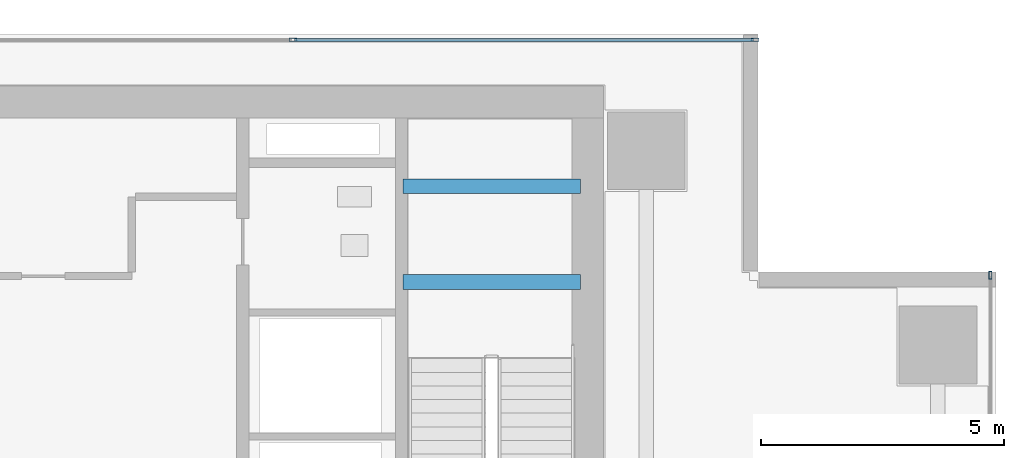
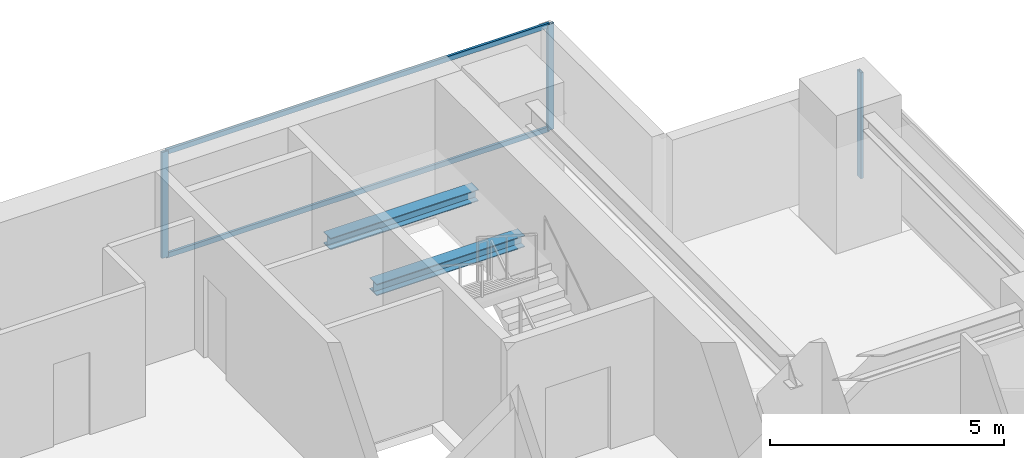
# One storey, part 19 of 27: 5 members, 2 beams, 2 elements without a shape of their own.
"""IFC4 building model written with IfcOpenShell, lengths in metres."""

import ifcopenshell
import ifcopenshell.guid

model = None  # the IFC model being written
_history = None  # IfcOwnerHistory: only IFC2X3 demands one
_inside = {}  # id of a spatial element -> (the spatial element, [elements in it])
_under = {}  # id of a project, library or spatial element -> (it, [spatial elements below it])
_declared = {}  # id of a project -> (the project, [libraries it declares])
_typed = {}  # id of a type object -> (the type object, [elements of that type])
_made_of = {}  # id of a material, layer set ... -> (it, [elements and type objects made of it])


def new_model(schema):
    """Start an empty IFC model of exactly this schema.

    Asked for "IFC4X3", IfcOpenShell would pick the latest addendum, in which some entities
    have other attributes; the version numbers below select the first issue.
    IFC2X3 requires an IfcOwnerHistory on every rooted entity: one is made here for all.
    """
    global model, _history
    if schema == "IFC4X3":
        model = ifcopenshell.file(schema_version=(4, 3, 0, 0))
    else:
        model = ifcopenshell.file(schema=schema)
    _inside.clear()
    _under.clear()
    _declared.clear()
    _typed.clear()
    _made_of.clear()
    _history = None
    if model.schema == "IFC2X3":
        org = make("IfcOrganization", Name="unknown")
        user = make(
            "IfcPersonAndOrganization",
            ThePerson=make("IfcPerson", FamilyName="unknown"),
            TheOrganization=org,
        )
        app = make(
            "IfcApplication",
            ApplicationDeveloper=org,
            Version="unknown",
            ApplicationFullName="unknown",
            ApplicationIdentifier="unknown",
        )
        _history = make(
            "IfcOwnerHistory",
            OwningUser=user,
            OwningApplication=app,
            ChangeAction="ADDED",
            CreationDate=0,
        )
    return model


def make(cls, **values):
    """One entity of the class cls with the attributes given. An attribute that is None is left unset."""
    return model.create_entity(
        cls, **{name: value for name, value in values.items() if value is not None}
    )


def rooted(cls, **values):
    """An entity with a GlobalId (a new one), such as an element, a storey or a relation."""
    return make(cls, GlobalId=ifcopenshell.guid.new(), OwnerHistory=_history, **values)


def si_unit(unit_type, name, prefix=None):
    """IfcSIUnit, for example si_unit("LENGTHUNIT", "METRE", prefix="MILLI")."""
    return make("IfcSIUnit", UnitType=unit_type, Prefix=prefix, Name=name)


def assignment(units):
    """IfcUnitAssignment: the units of a project."""
    return None if units is None else make("IfcUnitAssignment", Units=units)


def point(xyz):
    """IfcCartesianPoint."""
    return None if xyz is None else make("IfcCartesianPoint", Coordinates=xyz)


def direction(xyz):
    """IfcDirection."""
    return None if xyz is None else make("IfcDirection", DirectionRatios=xyz)


def frame(location, z_axis=None, x_axis=None):
    """IfcAxis2Placement3D, a coordinate frame: its origin and axes. An axis left out is left unset."""
    return make(
        "IfcAxis2Placement3D",
        Location=point(location),
        Axis=direction(z_axis),
        RefDirection=direction(x_axis),
    )


def frame_2d(location, x_axis=None):
    """IfcAxis2Placement2D, a coordinate frame in the plane: its origin and x axis."""
    return make(
        "IfcAxis2Placement2D", Location=point(location), RefDirection=direction(x_axis)
    )


def origin():
    """The frame at (0, 0, 0) with its axes left unset."""
    return frame((0.0, 0.0, 0.0))


def origin_2d():
    """The frame at (0, 0) in the plane with its x axis left unset."""
    return frame_2d((0.0, 0.0))


def place(relative_to, where):
    """IfcLocalPlacement: puts the frame where relative to a parent placement (None: the world)."""
    return make(
        "IfcLocalPlacement", PlacementRelTo=relative_to, RelativePlacement=where
    )


def context(
    kind, dimensions, precision=None, world=None, true_north=None, identifier=None
):
    """IfcGeometricRepresentationContext, for example the 3D "Model" context."""
    return make(
        "IfcGeometricRepresentationContext",
        ContextIdentifier=identifier,
        ContextType=kind,
        CoordinateSpaceDimension=dimensions,
        Precision=precision,
        WorldCoordinateSystem=world,
        TrueNorth=true_north,
    )


def subcontext(parent, identifier, kind, view, scale=None):
    """IfcGeometricRepresentationSubContext, for example "Body" below "Model"."""
    return make(
        "IfcGeometricRepresentationSubContext",
        ContextIdentifier=identifier,
        ContextType=kind,
        ParentContext=parent,
        TargetScale=scale,
        TargetView=view,
    )


def project(units=None, contexts=None):
    """IfcProject with its units and contexts."""
    return rooted(
        "IfcProject",
        Name="project",
        RepresentationContexts=contexts,
        UnitsInContext=assignment(units),
    )


def spatial(cls, under=None, at=None, **own):
    """A site, building, storey or space (cls), placed at a placement, below another one or the project."""
    s = rooted(cls, ObjectPlacement=at, **own)
    if under is not None:
        _under.setdefault(under.id(), (under, []))[1].append(s)
    return s


def profile(cls, at=None, kind="AREA", **sizes):
    """A parametric profile (cls). Its sizes go by their IFC names, for example OverallWidth=200.0."""
    return make(cls, ProfileType=kind, Position=at, **sizes)


def hollow_rectangle(**sizes):
    """IfcRectangleHollowProfileDef."""
    return profile("IfcRectangleHollowProfileDef", **sizes)


def i_section(**sizes):
    """IfcIShapeProfileDef."""
    return profile("IfcIShapeProfileDef", **sizes)


def extrude(swept, where, along, depth):
    """IfcExtrudedAreaSolid: the profile swept, set in the frame where, extruded along a direction by depth."""
    return make(
        "IfcExtrudedAreaSolid",
        SweptArea=swept,
        Position=where,
        ExtrudedDirection=direction(along),
        Depth=depth,
    )


def shape(context_of_items, identifier, shape_type, items):
    """IfcShapeRepresentation: the items that make up one representation, for example the "Body"."""
    return make(
        "IfcShapeRepresentation",
        ContextOfItems=context_of_items,
        RepresentationIdentifier=identifier,
        RepresentationType=shape_type,
        Items=items,
    )


def source(mapping_origin, context_of_items, identifier, shape_type, items):
    """IfcRepresentationMap: a shape defined once, which mapped items show again and again."""
    return make(
        "IfcRepresentationMap",
        MappingOrigin=mapping_origin,
        MappedRepresentation=shape(context_of_items, identifier, shape_type, items),
    )


def transform(
    local_origin,
    x_axis=None,
    y_axis=None,
    z_axis=None,
    scale=None,
    scale2=None,
    scale3=None,
    uniform=True,
):
    """IfcCartesianTransformationOperator3D, or its non-uniform kind. x_axis, y_axis, z_axis: its Axis1, 2, 3."""
    if uniform:
        return make(
            "IfcCartesianTransformationOperator3D",
            Axis1=direction(x_axis),
            Axis2=direction(y_axis),
            LocalOrigin=point(local_origin),
            Scale=scale,
            Axis3=direction(z_axis),
        )
    return make(
        "IfcCartesianTransformationOperator3DnonUniform",
        Axis1=direction(x_axis),
        Axis2=direction(y_axis),
        LocalOrigin=point(local_origin),
        Scale=scale,
        Axis3=direction(z_axis),
        Scale2=scale2,
        Scale3=scale3,
    )


def mapped(mapping_source, mapping_target):
    """IfcMappedItem: shows the shape of a source again, moved by a transform."""
    return make(
        "IfcMappedItem", MappingSource=mapping_source, MappingTarget=mapping_target
    )


def material(Name=None, Category=None):
    """IfcMaterial."""
    return make("IfcMaterial", Name=Name, Category=Category)


def layer(
    of_material, thickness, ventilated=None, Name=None, Category=None, Priority=None
):
    """IfcMaterialLayer: one layer of a wall or slab, of a material (None: an air gap)."""
    return make(
        "IfcMaterialLayer",
        Material=of_material,
        LayerThickness=thickness,
        IsVentilated=ventilated,
        Name=Name,
        Category=Category,
        Priority=Priority,
    )


def layer_set(layers, Name=None):
    """IfcMaterialLayerSet."""
    return make("IfcMaterialLayerSet", MaterialLayers=layers, LayerSetName=Name)


def material_profile(
    of_material, cross_section, Name=None, Category=None, Priority=None
):
    """IfcMaterialProfile: a cross section and its material."""
    return make(
        "IfcMaterialProfile",
        Name=Name,
        Material=of_material,
        Profile=cross_section,
        Priority=Priority,
        Category=Category,
    )


def profile_set(profiles, Name=None, composite=None):
    """IfcMaterialProfileSet."""
    return make(
        "IfcMaterialProfileSet",
        Name=Name,
        MaterialProfiles=profiles,
        CompositeProfile=composite,
    )


def made_of(thing, what):
    """Note that an element or type object is made of a material, layer set ...; save() writes the relation."""
    if what is not None:
        _made_of.setdefault(what.id(), (what, []))[1].append(thing)
    return thing


def type_object(cls, material=None, **own):
    """A type object (cls), such as IfcWallType, which elements share."""
    return made_of(rooted(cls, **own), material)


def element(
    cls,
    number,
    at=None,
    inside=None,
    cuts=None,
    type_object=None,
    material=None,
    context=None,
    identifier="Body",
    shape_type=None,
    held_by="IfcProductDefinitionShape",
    body=None,
    shapes=None,
    **own,
):
    """One element of the class cls, such as IfcWall. Its Tag is "e" and its number.

    at: its placement. inside: the storey or other place that contains it. cuts: it is an
    opening in that element (IfcRelVoidsElement). A single representation is given by context,
    identifier, shape_type and body (its items); several are given by shapes. held_by: the class
    of the entity that holds the representations. save() writes the other relations.
    """
    e = rooted(cls, Tag="e%d" % number, ObjectPlacement=at, **own)
    if body is not None:
        shapes = [shape(context, identifier, shape_type, body)]
    if shapes is not None:
        e.Representation = make(held_by, Representations=shapes)
    if inside is not None:
        _inside.setdefault(inside.id(), (inside, []))[1].append(e)
    if cuts is not None:
        rooted(
            "IfcRelVoidsElement", RelatingBuildingElement=cuts, RelatedOpeningElement=e
        )
    if type_object is not None:
        _typed.setdefault(type_object.id(), (type_object, []))[1].append(e)
    return made_of(e, material)


def aggregate(whole, parts):
    """IfcRelAggregates: a whole, such as a stair, and the parts it consists of."""
    return rooted("IfcRelAggregates", RelatingObject=whole, RelatedObjects=parts)


def save(model, path):
    """Write the relations noted so far, then the file.

    IfcRelAggregates (storeys below a building ...), IfcRelContainedInSpatialStructure (elements
    in a storey), IfcRelDefinesByType, IfcRelAssociatesMaterial and IfcRelDeclares: one each for
    every whole, place, type object, material and project.
    """
    for whole, parts in _under.values():
        aggregate(whole, parts)
    for where, things in _inside.values():
        rooted(
            "IfcRelContainedInSpatialStructure",
            RelatedElements=things,
            RelatingStructure=where,
        )
    for kind, things in _typed.values():
        rooted("IfcRelDefinesByType", RelatedObjects=things, RelatingType=kind)
    for what, things in _made_of.values():
        rooted("IfcRelAssociatesMaterial", RelatedObjects=things, RelatingMaterial=what)
    for by, libraries in _declared.values():
        rooted("IfcRelDeclares", RelatingContext=by, RelatedDefinitions=libraries)
    model.write(path)


model = new_model("IFC4")

# Units and contexts
model_context = context("Model", 3, precision=1e-05, world=origin(), true_north=direction((0.0, 1.0)))
body_context = subcontext(model_context, "Body", "Model", "MODEL_VIEW")
ifc_project = project(units=[si_unit("LENGTHUNIT", "METRE"), si_unit("AREAUNIT", "SQUARE_METRE"), si_unit("VOLUMEUNIT", "CUBIC_METRE"), si_unit("PLANEANGLEUNIT", "RADIAN"), si_unit("MASSUNIT", "GRAM", prefix="KILO")], contexts=[model_context])

# Site, building, storey
site_placement = place(None, origin())
site = spatial("IfcSite", under=ifc_project, at=site_placement, CompositionType="ELEMENT")
building_placement = place(site_placement, origin())
building = spatial("IfcBuilding", under=site, at=building_placement, Name="Sumidabori Civic Tower", CompositionType="ELEMENT")
storey_placement = place(building_placement, frame((0.0, 0.0, 135.199951171875)))
storey = spatial("IfcBuildingStorey", under=building, at=storey_placement, Name="L34", CompositionType="ELEMENT", Elevation=135.199951171875)

# Beams
ifc_material_1 = material(Name="Steel SN490", Category="steel")
ifc_material_profile_1 = material_profile(ifc_material_1, i_section(OverallWidth=0.300048828125, OverallDepth=0.300048828125, WebThickness=0.010986328125, FlangeThickness=0.01904296875, at=origin_2d()), Name="HE 300 B")
ifc_profile_set_1 = profile_set([ifc_material_profile_1], Name="Steel SN490")
beam_type = type_object("IfcBeamType", Name="BM-LDG-300", PredefinedType="BEAM", material=ifc_profile_set_1)
shared_shape_1 = source(origin(), body_context, "Body", "SweptSolid", [
    extrude(i_section(OverallWidth=0.300048828125, OverallDepth=0.300048828125, WebThickness=0.010986328125, FlangeThickness=0.01904296875, at=origin_2d()), origin(), (0.0, 0.0, 1.0), 3.64990234375),
])
for number, where, z_axis, x_axis, name in (
    (1, (11.800048828125, 20.09765625, 1.449951171875), (1.0, 0.0, 0.0), (0.0, 1.0, 0.0), "Stair ST-2 Landing Support Beam L34-1A"),
    (2, (11.800048828125, 22.069580078125, 1.449951171875), (1.0, 0.0, 0.0), (0.0, 1.0, 0.0), "Stair ST-2 Landing Trimmer Beam L34-1B"),
):
    element("IfcBeam", number, at=place(storey_placement, frame(where, z_axis=z_axis, x_axis=x_axis)), inside=storey, type_object=beam_type, Name=name, PredefinedType="BEAM", context=body_context, shape_type="MappedRepresentation", body=[
        mapped(shared_shape_1, transform((0.0, 0.0, 0.0), x_axis=(1.0, 0.0, 0.0), y_axis=(0.0, 1.0, 0.0), z_axis=(0.0, 0.0, 1.0), scale=1.0)),
    ])

# Curtain wall, member
ifc_material_2 = material(Name="Anodised Bronze Aluminium AW-6063-T6", Category="aluminium")
ifc_layer = layer(ifc_material_2, 0.179931640625, Name="Anodised Bronze Aluminium AW-6063-T6")
ifc_layer_set = layer_set([ifc_layer], Name="Anodised Bronze Aluminium AW-6063-T6")
curtain_wall_type = type_object("IfcCurtainWallType", Name="CW-SYS-3", PredefinedType="NOTDEFINED", material=ifc_layer_set)
curtain_wall_1_placement = place(storey_placement, origin())
curtain_wall_1 = element("IfcCurtainWall", 3, at=curtain_wall_1_placement, inside=storey, type_object=curtain_wall_type, Name="Curtain Wall CW:L34:R04", PredefinedType="NOTDEFINED")
ifc_material_profile_2 = material_profile(ifc_material_2, hollow_rectangle(XDim=0.06494140625, YDim=0.159912109375, WallThickness=0.0048828125, at=origin_2d()), Name="ALU MULLION 160x65")
ifc_profile_set_2 = profile_set([ifc_material_profile_2], Name="Anodised Bronze Aluminium AW-6063-T6")
member_type_1 = type_object("IfcMemberType", Name="CW-MUL-160", PredefinedType="MULLION", material=ifc_profile_set_2)
shared_shape_2 = source(origin(), body_context, "Body", "SweptSolid", [
    extrude(hollow_rectangle(XDim=0.06494140625, YDim=0.159912109375, WallThickness=0.0048828125, at=origin_2d()), origin(), (0.0, 0.0, 1.0), 2.760009765625),
])
member_1_placement = place(storey_placement, frame((23.8798828125, 20.237548828125, 0.0), z_axis=(0.0, 0.0, 1.0), x_axis=(-1.0, 0.0, 0.0)))
member_1 = element("IfcMember", 4, at=member_1_placement, type_object=member_type_1, Name="CW-3 mullion 5", PredefinedType="MULLION", context=body_context, shape_type="MappedRepresentation", body=[
    mapped(shared_shape_2, transform((0.0, 0.0, 0.0), x_axis=(1.0, 0.0, 0.0), y_axis=(0.0, 1.0, 0.0), z_axis=(0.0, 0.0, 1.0), scale=1.0)),
])
aggregate(curtain_wall_1, [member_1])

# Curtain wall, members
curtain_wall_2_placement = place(storey_placement, origin())
curtain_wall_2 = element("IfcCurtainWall", 5, at=curtain_wall_2_placement, inside=storey, type_object=curtain_wall_type, Name="Curtain Wall CW:L34:R07", PredefinedType="NOTDEFINED")
member_2_placement = place(storey_placement, frame((19.03759765625, 25.080078125, 0.0), z_axis=(0.0, 0.0, 1.0), x_axis=(0.0, -1.0, 0.0)))
member_2 = element("IfcMember", 6, at=member_2_placement, type_object=member_type_1, Name="CW-3 mullion 1", PredefinedType="MULLION", context=body_context, shape_type="MappedRepresentation", body=[
    mapped(shared_shape_2, transform((0.0, 0.0, 0.0), x_axis=(1.0, 0.0, 0.0), y_axis=(0.0, 1.0, 0.0), z_axis=(0.0, 0.0, 1.0), scale=1.0)),
])
member_3_placement = place(storey_placement, frame((9.534912109375, 25.080078125, 0.0), z_axis=(0.0, 0.0, 1.0), x_axis=(0.0, -1.0, 0.0)))
member_3 = element("IfcMember", 7, at=member_3_placement, type_object=member_type_1, Name="CW-3 mullion 2", PredefinedType="MULLION", context=body_context, shape_type="MappedRepresentation", body=[
    mapped(shared_shape_2, transform((0.0, 0.0, 0.0), x_axis=(1.0, 0.0, 0.0), y_axis=(0.0, 1.0, 0.0), z_axis=(0.0, 0.0, 1.0), scale=1.0)),
])
ifc_material_profile_3 = material_profile(ifc_material_2, hollow_rectangle(XDim=0.06005859375, YDim=0.1298828125, WallThickness=0.0048828125, at=origin_2d()), Name="ALU TRANSOM 130x60")
ifc_profile_set_3 = profile_set([ifc_material_profile_3], Name="Anodised Bronze Aluminium AW-6063-T6")
member_type_2 = type_object("IfcMemberType", Name="CW-TRN-130", PredefinedType="USERDEFINED", material=ifc_profile_set_3)
shared_shape_3 = source(origin(), body_context, "Body", "SweptSolid", [
    extrude(hollow_rectangle(XDim=0.06005859375, YDim=0.1298828125, WallThickness=0.0048828125, at=origin_2d()), origin(), (0.0, 0.0, 1.0), 9.4375),
])
member_4_placement = place(storey_placement, frame((19.0048828125, 25.080078125, 0.030029296875), z_axis=(-1.0, 0.0, 0.0), x_axis=(0.0, -1.0, 0.0)))
member_4 = element("IfcMember", 8, at=member_4_placement, type_object=member_type_2, Name="CW-3 transom 1.1", ObjectType="TRANSOM", PredefinedType="USERDEFINED", context=body_context, shape_type="MappedRepresentation", body=[
    mapped(shared_shape_3, transform((0.0, 0.0, 0.0), x_axis=(1.0, 0.0, 0.0), y_axis=(0.0, 1.0, 0.0), z_axis=(0.0, 0.0, 1.0), scale=1.0)),
])
member_5_placement = place(storey_placement, frame((19.0048828125, 25.080078125, 2.72998046875), z_axis=(-1.0, 0.0, 0.0), x_axis=(0.0, -1.0, 0.0)))
member_5 = element("IfcMember", 9, at=member_5_placement, type_object=member_type_2, Name="CW-3 transom 1.2", ObjectType="TRANSOM", PredefinedType="USERDEFINED", context=body_context, shape_type="MappedRepresentation", body=[
    mapped(shared_shape_3, transform((0.0, 0.0, 0.0), x_axis=(1.0, 0.0, 0.0), y_axis=(0.0, 1.0, 0.0), z_axis=(0.0, 0.0, 1.0), scale=1.0)),
])
aggregate(curtain_wall_2, [member_2, member_3, member_4, member_5])

save(model, "model.ifc")
